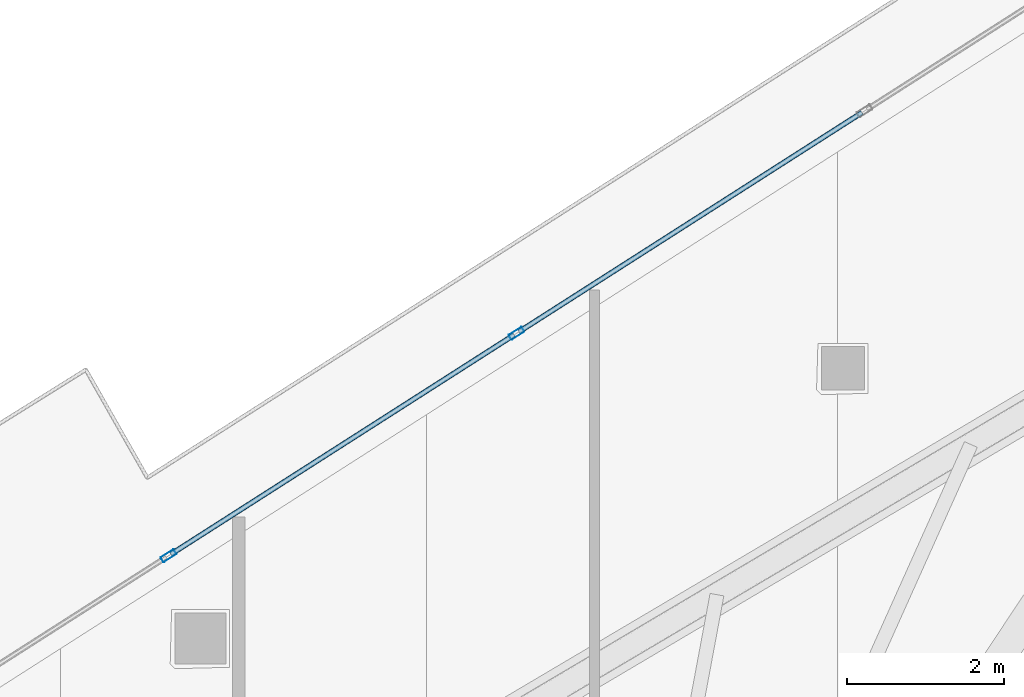
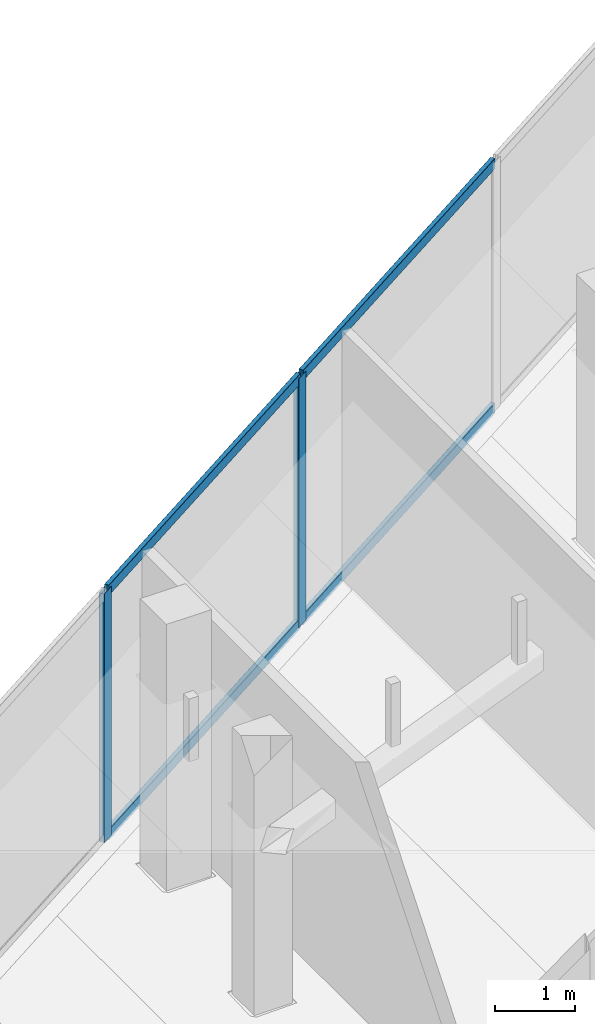
# One storey, part 22 of 40: 6 members, 1 element without a shape of its own.
"""IFC4 building model written with IfcOpenShell, lengths in metres."""

import ifcopenshell
import ifcopenshell.guid

model = None  # the IFC model being written
_history = None  # IfcOwnerHistory: only IFC2X3 demands one
_inside = {}  # id of a spatial element -> (the spatial element, [elements in it])
_under = {}  # id of a project, library or spatial element -> (it, [spatial elements below it])
_declared = {}  # id of a project -> (the project, [libraries it declares])
_typed = {}  # id of a type object -> (the type object, [elements of that type])
_made_of = {}  # id of a material, layer set ... -> (it, [elements and type objects made of it])


def new_model(schema):
    """Start an empty IFC model of exactly this schema.

    Asked for "IFC4X3", IfcOpenShell would pick the latest addendum, in which some entities
    have other attributes; the version numbers below select the first issue.
    IFC2X3 requires an IfcOwnerHistory on every rooted entity: one is made here for all.
    """
    global model, _history
    if schema == "IFC4X3":
        model = ifcopenshell.file(schema_version=(4, 3, 0, 0))
    else:
        model = ifcopenshell.file(schema=schema)
    _inside.clear()
    _under.clear()
    _declared.clear()
    _typed.clear()
    _made_of.clear()
    _history = None
    if model.schema == "IFC2X3":
        org = make("IfcOrganization", Name="unknown")
        user = make(
            "IfcPersonAndOrganization",
            ThePerson=make("IfcPerson", FamilyName="unknown"),
            TheOrganization=org,
        )
        app = make(
            "IfcApplication",
            ApplicationDeveloper=org,
            Version="unknown",
            ApplicationFullName="unknown",
            ApplicationIdentifier="unknown",
        )
        _history = make(
            "IfcOwnerHistory",
            OwningUser=user,
            OwningApplication=app,
            ChangeAction="ADDED",
            CreationDate=0,
        )
    return model


def make(cls, **values):
    """One entity of the class cls with the attributes given. An attribute that is None is left unset."""
    return model.create_entity(
        cls, **{name: value for name, value in values.items() if value is not None}
    )


def rooted(cls, **values):
    """An entity with a GlobalId (a new one), such as an element, a storey or a relation."""
    return make(cls, GlobalId=ifcopenshell.guid.new(), OwnerHistory=_history, **values)


def si_unit(unit_type, name, prefix=None):
    """IfcSIUnit, for example si_unit("LENGTHUNIT", "METRE", prefix="MILLI")."""
    return make("IfcSIUnit", UnitType=unit_type, Prefix=prefix, Name=name)


def assignment(units):
    """IfcUnitAssignment: the units of a project."""
    return None if units is None else make("IfcUnitAssignment", Units=units)


def point(xyz):
    """IfcCartesianPoint."""
    return None if xyz is None else make("IfcCartesianPoint", Coordinates=xyz)


def direction(xyz):
    """IfcDirection."""
    return None if xyz is None else make("IfcDirection", DirectionRatios=xyz)


def frame(location, z_axis=None, x_axis=None):
    """IfcAxis2Placement3D, a coordinate frame: its origin and axes. An axis left out is left unset."""
    return make(
        "IfcAxis2Placement3D",
        Location=point(location),
        Axis=direction(z_axis),
        RefDirection=direction(x_axis),
    )


def frame_2d(location, x_axis=None):
    """IfcAxis2Placement2D, a coordinate frame in the plane: its origin and x axis."""
    return make(
        "IfcAxis2Placement2D", Location=point(location), RefDirection=direction(x_axis)
    )


def origin():
    """The frame at (0, 0, 0) with its axes left unset."""
    return frame((0.0, 0.0, 0.0))


def origin_2d():
    """The frame at (0, 0) in the plane with its x axis left unset."""
    return frame_2d((0.0, 0.0))


def place(relative_to, where):
    """IfcLocalPlacement: puts the frame where relative to a parent placement (None: the world)."""
    return make(
        "IfcLocalPlacement", PlacementRelTo=relative_to, RelativePlacement=where
    )


def context(
    kind, dimensions, precision=None, world=None, true_north=None, identifier=None
):
    """IfcGeometricRepresentationContext, for example the 3D "Model" context."""
    return make(
        "IfcGeometricRepresentationContext",
        ContextIdentifier=identifier,
        ContextType=kind,
        CoordinateSpaceDimension=dimensions,
        Precision=precision,
        WorldCoordinateSystem=world,
        TrueNorth=true_north,
    )


def subcontext(parent, identifier, kind, view, scale=None):
    """IfcGeometricRepresentationSubContext, for example "Body" below "Model"."""
    return make(
        "IfcGeometricRepresentationSubContext",
        ContextIdentifier=identifier,
        ContextType=kind,
        ParentContext=parent,
        TargetScale=scale,
        TargetView=view,
    )


def project(units=None, contexts=None):
    """IfcProject with its units and contexts."""
    return rooted(
        "IfcProject",
        Name="project",
        RepresentationContexts=contexts,
        UnitsInContext=assignment(units),
    )


def spatial(cls, under=None, at=None, **own):
    """A site, building, storey or space (cls), placed at a placement, below another one or the project."""
    s = rooted(cls, ObjectPlacement=at, **own)
    if under is not None:
        _under.setdefault(under.id(), (under, []))[1].append(s)
    return s


def profile(cls, at=None, kind="AREA", **sizes):
    """A parametric profile (cls). Its sizes go by their IFC names, for example OverallWidth=200.0."""
    return make(cls, ProfileType=kind, Position=at, **sizes)


def hollow_rectangle(**sizes):
    """IfcRectangleHollowProfileDef."""
    return profile("IfcRectangleHollowProfileDef", **sizes)


def extrude(swept, where, along, depth):
    """IfcExtrudedAreaSolid: the profile swept, set in the frame where, extruded along a direction by depth."""
    return make(
        "IfcExtrudedAreaSolid",
        SweptArea=swept,
        Position=where,
        ExtrudedDirection=direction(along),
        Depth=depth,
    )


def shape(context_of_items, identifier, shape_type, items):
    """IfcShapeRepresentation: the items that make up one representation, for example the "Body"."""
    return make(
        "IfcShapeRepresentation",
        ContextOfItems=context_of_items,
        RepresentationIdentifier=identifier,
        RepresentationType=shape_type,
        Items=items,
    )


def material(Name=None, Category=None):
    """IfcMaterial."""
    return make("IfcMaterial", Name=Name, Category=Category)


def layer(
    of_material, thickness, ventilated=None, Name=None, Category=None, Priority=None
):
    """IfcMaterialLayer: one layer of a wall or slab, of a material (None: an air gap)."""
    return make(
        "IfcMaterialLayer",
        Material=of_material,
        LayerThickness=thickness,
        IsVentilated=ventilated,
        Name=Name,
        Category=Category,
        Priority=Priority,
    )


def layer_set(layers, Name=None):
    """IfcMaterialLayerSet."""
    return make("IfcMaterialLayerSet", MaterialLayers=layers, LayerSetName=Name)


def material_profile(
    of_material, cross_section, Name=None, Category=None, Priority=None
):
    """IfcMaterialProfile: a cross section and its material."""
    return make(
        "IfcMaterialProfile",
        Name=Name,
        Material=of_material,
        Profile=cross_section,
        Priority=Priority,
        Category=Category,
    )


def profile_set(profiles, Name=None, composite=None):
    """IfcMaterialProfileSet."""
    return make(
        "IfcMaterialProfileSet",
        Name=Name,
        MaterialProfiles=profiles,
        CompositeProfile=composite,
    )


def made_of(thing, what):
    """Note that an element or type object is made of a material, layer set ...; save() writes the relation."""
    if what is not None:
        _made_of.setdefault(what.id(), (what, []))[1].append(thing)
    return thing


def type_object(cls, material=None, **own):
    """A type object (cls), such as IfcWallType, which elements share."""
    return made_of(rooted(cls, **own), material)


def element(
    cls,
    number,
    at=None,
    inside=None,
    cuts=None,
    type_object=None,
    material=None,
    context=None,
    identifier="Body",
    shape_type=None,
    held_by="IfcProductDefinitionShape",
    body=None,
    shapes=None,
    **own,
):
    """One element of the class cls, such as IfcWall. Its Tag is "e" and its number.

    at: its placement. inside: the storey or other place that contains it. cuts: it is an
    opening in that element (IfcRelVoidsElement). A single representation is given by context,
    identifier, shape_type and body (its items); several are given by shapes. held_by: the class
    of the entity that holds the representations. save() writes the other relations.
    """
    e = rooted(cls, Tag="e%d" % number, ObjectPlacement=at, **own)
    if body is not None:
        shapes = [shape(context, identifier, shape_type, body)]
    if shapes is not None:
        e.Representation = make(held_by, Representations=shapes)
    if inside is not None:
        _inside.setdefault(inside.id(), (inside, []))[1].append(e)
    if cuts is not None:
        rooted(
            "IfcRelVoidsElement", RelatingBuildingElement=cuts, RelatedOpeningElement=e
        )
    if type_object is not None:
        _typed.setdefault(type_object.id(), (type_object, []))[1].append(e)
    return made_of(e, material)


def aggregate(whole, parts):
    """IfcRelAggregates: a whole, such as a stair, and the parts it consists of."""
    return rooted("IfcRelAggregates", RelatingObject=whole, RelatedObjects=parts)


def save(model, path):
    """Write the relations noted so far, then the file.

    IfcRelAggregates (storeys below a building ...), IfcRelContainedInSpatialStructure (elements
    in a storey), IfcRelDefinesByType, IfcRelAssociatesMaterial and IfcRelDeclares: one each for
    every whole, place, type object, material and project.
    """
    for whole, parts in _under.values():
        aggregate(whole, parts)
    for where, things in _inside.values():
        rooted(
            "IfcRelContainedInSpatialStructure",
            RelatedElements=things,
            RelatingStructure=where,
        )
    for kind, things in _typed.values():
        rooted("IfcRelDefinesByType", RelatedObjects=things, RelatingType=kind)
    for what, things in _made_of.values():
        rooted("IfcRelAssociatesMaterial", RelatedObjects=things, RelatingMaterial=what)
    for by, libraries in _declared.values():
        rooted("IfcRelDeclares", RelatingContext=by, RelatedDefinitions=libraries)
    model.write(path)


model = new_model("IFC4")

# Units and contexts
model_context = context("Model", 3, precision=1e-05, world=origin(), true_north=direction((0.0, 1.0)))
body_context = subcontext(model_context, "Body", "Model", "MODEL_VIEW")
ifc_project = project(units=[si_unit("LENGTHUNIT", "METRE"), si_unit("AREAUNIT", "SQUARE_METRE"), si_unit("VOLUMEUNIT", "CUBIC_METRE"), si_unit("PLANEANGLEUNIT", "RADIAN"), si_unit("MASSUNIT", "GRAM", prefix="KILO")], contexts=[model_context])

# Site, building, storey
site_placement = place(None, origin())
site = spatial("IfcSite", under=ifc_project, at=site_placement, CompositionType="ELEMENT")
building_placement = place(site_placement, origin())
building = spatial("IfcBuilding", under=site, at=building_placement, Name="Qorvath Tower", CompositionType="ELEMENT")
storey_placement = place(building_placement, frame((0.0, 0.0, 225.300048828125)))
storey = spatial("IfcBuildingStorey", under=building, at=storey_placement, Name="L52", CompositionType="ELEMENT", Elevation=225.300048828125)

# Curtain wall, members
ifc_material_1 = material(Name="Anodised aluminium and triple low-E glass", Category="aluminium")
ifc_layer = layer(ifc_material_1, 0.179931640625)
ifc_layer_set = layer_set([ifc_layer], Name="CW-SYS-5")
curtain_wall_type = type_object("IfcCurtainWallType", Name="CW-SYS-5", PredefinedType="NOTDEFINED", material=ifc_layer_set)
curtain_wall_placement = place(storey_placement, origin())
curtain_wall = element("IfcCurtainWall", 1, at=curtain_wall_placement, inside=storey, type_object=curtain_wall_type, Name="Curtain Wall CW-5 CW-T-L52-18.1", PredefinedType="NOTDEFINED")
ifc_material_2 = material(Name="Anodised aluminium 6063-T6", Category="aluminium")
ifc_material_profile_1 = material_profile(ifc_material_2, hollow_rectangle(XDim=0.074951171875, YDim=0.199951171875, WallThickness=0.00390625, InnerFilletRadius=0.00390625, OuterFilletRadius=0.008056640625, at=origin_2d()), Name="CWM 200x75")
ifc_profile_set_1 = profile_set([ifc_material_profile_1], Name="Anodised aluminium 6063-T6")
member_type_1 = type_object("IfcMemberType", Name="CWM-200", PredefinedType="MULLION", material=ifc_profile_set_1)
member_1_placement = place(storey_placement, frame((-26.204345703125, 20.940185546875, 0.0), z_axis=(0.0, 0.0, 1.0), x_axis=(0.538531098636, -0.842605634803, 0.0)))
member_1 = element("IfcMember", 2, at=member_1_placement, type_object=member_type_1, Name="CW-5 mullion 3", PredefinedType="MULLION", context=body_context, shape_type="SweptSolid", body=[
    extrude(hollow_rectangle(XDim=0.074951171875, YDim=0.199951171875, WallThickness=0.00390625, InnerFilletRadius=0.00390625, OuterFilletRadius=0.008056640625, at=origin_2d()), origin(), (0.0, 0.0, 1.0), 3.780029296875),
])
member_2_placement = place(storey_placement, frame((-30.630859375, 18.111083984375, 0.0), z_axis=(0.0, 0.0, 1.0), x_axis=(0.538531098636, -0.842605634803, 0.0)))
member_2 = element("IfcMember", 3, at=member_2_placement, type_object=member_type_1, Name="CW-5 mullion 4", PredefinedType="MULLION", context=body_context, shape_type="SweptSolid", body=[
    extrude(hollow_rectangle(XDim=0.074951171875, YDim=0.199951171875, WallThickness=0.00390625, InnerFilletRadius=0.00390625, OuterFilletRadius=0.008056640625, at=origin_2d()), origin(), (0.0, 0.0, 1.0), 3.780029296875),
])
ifc_material_3 = material(Name="Anodised aluminium 6063-T6", Category="aluminium")
ifc_material_profile_2 = material_profile(ifc_material_3, hollow_rectangle(XDim=0.06494140625, YDim=0.159912109375, WallThickness=0.00341796875, InnerFilletRadius=0.00341796875, OuterFilletRadius=0.007080078125, at=origin_2d()), Name="CWT 160x65")
ifc_profile_set_2 = profile_set([ifc_material_profile_2], Name="Anodised aluminium 6063-T6")
member_type_2 = type_object("IfcMemberType", Name="CWT-160", PredefinedType="USERDEFINED", material=ifc_profile_set_2)
member_3_placement = place(storey_placement, frame((-21.809326171875, 23.7490234375, 0.032470703125), z_axis=(-0.842629113093, -0.538494361872, 0.0), x_axis=(0.538494361872, -0.842629113093, 0.0)))
member_3 = element("IfcMember", 4, at=member_3_placement, type_object=member_type_2, Name="CW-5 transom 2.1", ObjectType="TRANSOM", PredefinedType="USERDEFINED", context=body_context, shape_type="SweptSolid", body=[
    extrude(hollow_rectangle(XDim=0.06494140625, YDim=0.159912109375, WallThickness=0.00341796875, InnerFilletRadius=0.00341796875, OuterFilletRadius=0.007080078125, at=origin_2d()), origin(), (0.0, 0.0, 1.0), 5.178466796875),
])
member_4_placement = place(storey_placement, frame((-21.809326171875, 23.7490234375, 3.74755859375), z_axis=(-0.842629113093, -0.538494361872, 0.0), x_axis=(0.538494361872, -0.842629113093, 0.0)))
member_4 = element("IfcMember", 5, at=member_4_placement, type_object=member_type_2, Name="CW-5 transom 2.2", ObjectType="TRANSOM", PredefinedType="USERDEFINED", context=body_context, shape_type="SweptSolid", body=[
    extrude(hollow_rectangle(XDim=0.06494140625, YDim=0.159912109375, WallThickness=0.00341796875, InnerFilletRadius=0.00341796875, OuterFilletRadius=0.007080078125, at=origin_2d()), origin(), (0.0, 0.0, 1.0), 5.178466796875),
])
member_5_placement = place(storey_placement, frame((-26.23583984375, 20.919921875, 0.032470703125), z_axis=(-0.842629113093, -0.538494361872, 0.0), x_axis=(0.538494361872, -0.842629113093, 0.0)))
member_5 = element("IfcMember", 6, at=member_5_placement, type_object=member_type_2, Name="CW-5 transom 3.1", ObjectType="TRANSOM", PredefinedType="USERDEFINED", context=body_context, shape_type="SweptSolid", body=[
    extrude(hollow_rectangle(XDim=0.06494140625, YDim=0.159912109375, WallThickness=0.00341796875, InnerFilletRadius=0.00341796875, OuterFilletRadius=0.007080078125, at=origin_2d()), origin(), (0.0, 0.0, 1.0), 5.178466796875),
])
member_6_placement = place(storey_placement, frame((-26.23583984375, 20.919921875, 3.74755859375), z_axis=(-0.842629113093, -0.538494361872, 0.0), x_axis=(0.538494361872, -0.842629113093, 0.0)))
member_6 = element("IfcMember", 7, at=member_6_placement, type_object=member_type_2, Name="CW-5 transom 3.2", ObjectType="TRANSOM", PredefinedType="USERDEFINED", context=body_context, shape_type="SweptSolid", body=[
    extrude(hollow_rectangle(XDim=0.06494140625, YDim=0.159912109375, WallThickness=0.00341796875, InnerFilletRadius=0.00341796875, OuterFilletRadius=0.007080078125, at=origin_2d()), origin(), (0.0, 0.0, 1.0), 5.178466796875),
])
aggregate(curtain_wall, [member_1, member_2, member_3, member_4, member_5, member_6])

save(model, "model.ifc")
